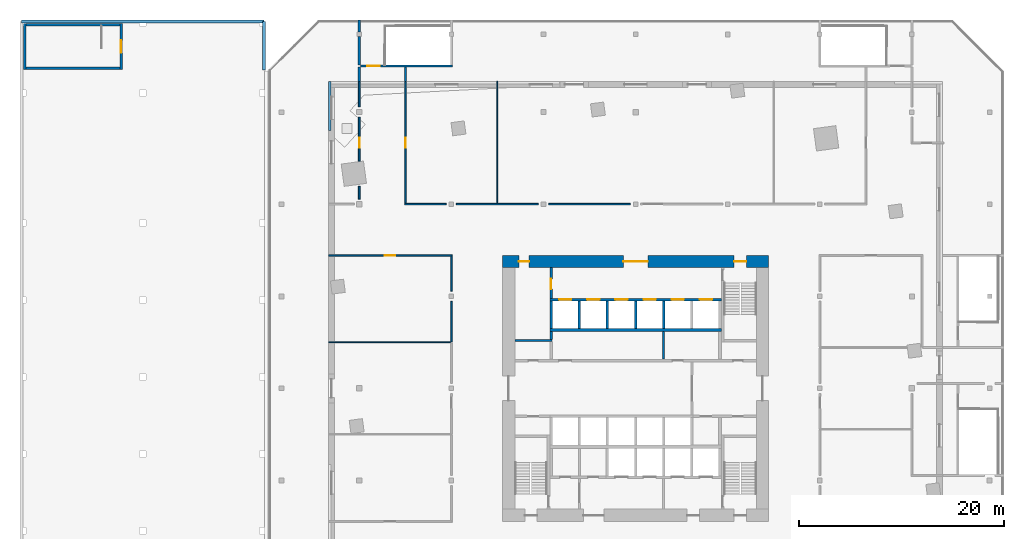
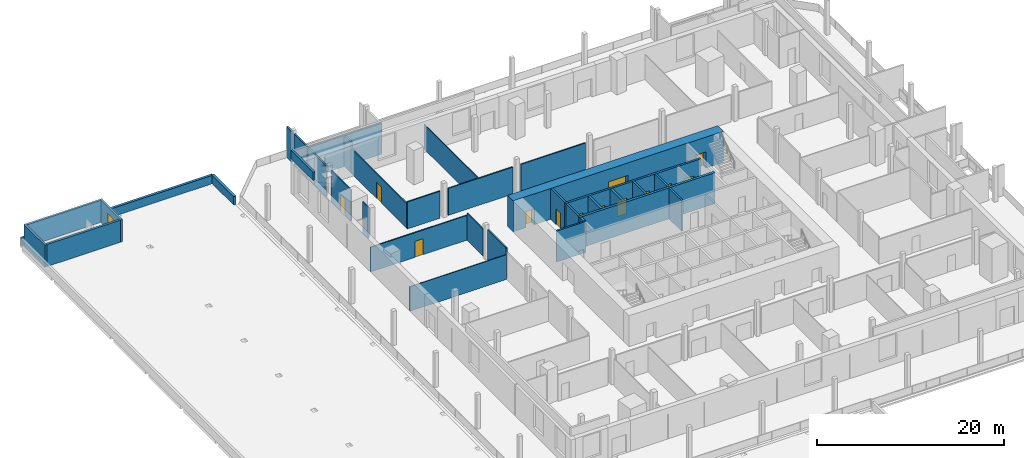
# One storey, part 6 of 12: 36 walls, 15 doors, 15 openings.
"""IFC4 building model written with IfcOpenShell, lengths in metres."""

from ifc_helpers import new_model, si_unit, direction, frame, frame_2d, origin, place, context, subcontext, project, spatial, rectangle, extrude, material, layer, layer_set, type_object, element, fill, save


model = new_model("IFC4")

# Units and contexts
model_context = context("Model", 3, precision=1e-05, world=origin(), true_north=direction((0.0, 1.0)))
body_context = subcontext(model_context, "Body", "Model", "MODEL_VIEW")
ifc_project = project(units=[si_unit("LENGTHUNIT", "METRE"), si_unit("AREAUNIT", "SQUARE_METRE"), si_unit("VOLUMEUNIT", "CUBIC_METRE"), si_unit("PLANEANGLEUNIT", "RADIAN"), si_unit("MASSUNIT", "GRAM", prefix="KILO")], contexts=[model_context])

# Site, building, storey
site_placement = place(None, origin())
site = spatial("IfcSite", under=ifc_project, at=site_placement, CompositionType="ELEMENT")
building_placement = place(site_placement, origin())
building = spatial("IfcBuilding", under=site, at=building_placement, Name="Dilmun Exchange Tower", CompositionType="ELEMENT")
storey_placement = place(building_placement, frame((0.0, 0.0, 18.0)))
storey = spatial("IfcBuildingStorey", under=building, at=storey_placement, Name="L04", CompositionType="ELEMENT", Elevation=18.0)

# Walls
ifc_material_1 = material(Name="Concrete C40/50", Category="concrete")
ifc_layer_1 = layer(ifc_material_1, 0.199951171875)
ifc_layer_set_1 = layer_set([ifc_layer_1], Name="Concrete C40/50")
wall_type_1 = type_object("IfcWallType", Name="Core partition wall 200", PredefinedType="PARTITIONING", material=ifc_layer_set_1)
wall_1_placement = place(storey_placement, frame((2.75, 2.85498046875, 0.0), z_axis=(0.0, 0.0, 1.0), x_axis=(0.0, 1.0, 0.0)))
element("IfcWall", 1, at=wall_1_placement, inside=storey, type_object=wall_type_1, Name="L04 core partition wall 12", PredefinedType="PARTITIONING", context=body_context, shape_type="SweptSolid", body=[
    extrude(rectangle(XDim=2.68994140625, YDim=0.199951171875, at=frame_2d((1.344970703125, 0.0))), origin(), (0.0, 0.0, 1.0), 4.050048828125),
])
wall_2_placement = place(storey_placement, frame((-11.794921875, 4.675048828125, 0.0), z_axis=(0.0, 0.0, 1.0), x_axis=(1.0, 0.0, 0.0)))
element("IfcWall", 2, at=wall_2_placement, inside=storey, type_object=wall_type_1, Name="L04 core partition wall 14", PredefinedType="PARTITIONING", context=body_context, shape_type="SweptSolid", body=[
    extrude(rectangle(XDim=3.64501953125, YDim=0.199951171875, at=frame_2d((1.822509765625, 0.0))), origin(), (0.0, 0.0, 1.0), 4.050048828125),
])
ifc_layer_2 = layer(ifc_material_1, 0.25)
ifc_layer_set_2 = layer_set([ifc_layer_2], Name="Concrete C40/50")
wall_type_2 = type_object("IfcWallType", Name="Core partition wall 250", PredefinedType="PARTITIONING", material=ifc_layer_set_2)
wall_3_placement = place(storey_placement, frame((-8.25, 4.780029296875, 0.0), z_axis=(0.0, 0.0, 1.0), x_axis=(0.0, 1.0, 0.0)))
element("IfcWall", 3, at=wall_3_placement, inside=storey, type_object=wall_type_2, Name="L04 core partition wall 15", PredefinedType="PARTITIONING", context=body_context, shape_type="SweptSolid", body=[
    extrude(rectangle(XDim=0.764892578125, YDim=0.25, at=frame_2d((0.38232421875, 0.0))), origin(), (0.0, 0.0, 1.0), 4.050048828125),
])

# Wall, opening, door
wall_4_placement = place(storey_placement, frame((-8.25, 8.804931640625, 0.0), z_axis=(0.0, 0.0, 1.0), x_axis=(0.0, 1.0, 0.0)))
wall_4 = element("IfcWall", 4, at=wall_4_placement, inside=storey, type_object=wall_type_2, Name="L04 core partition wall 16", PredefinedType="PARTITIONING", context=body_context, shape_type="SweptSolid", body=[
    extrude(rectangle(XDim=2.989990234375, YDim=0.25, at=frame_2d((1.4951171875, 0.0))), origin(), (0.0, 0.0, 1.0), 4.050048828125),
])
opening_1_placement = place(wall_4_placement, frame((0.89501953125, 0.0, 0.0)))
opening_1 = element("IfcOpeningElement", 5, at=opening_1_placement, cuts=wall_4, Name="Opening CD4", PredefinedType="OPENING", context=body_context, shape_type="SweptSolid", body=[
    extrude(rectangle(XDim=1.0, YDim=2.10009765625, at=frame_2d((0.5, 1.050048828125))), frame((0.0, 0.135009765625, 0.0), z_axis=(0.0, -1.0, 0.0), x_axis=(1.0, 0.0, 0.0)), (0.0, 0.0, 1.0), 0.27001953125),
])
ifc_material_2 = material(Name="Fire-rated steel door set", Category="steel")
door_type_1 = type_object("IfcDoorType", Name="Core room door 1000x2100", OperationType="SINGLE_SWING_LEFT", PredefinedType="DOOR", material=ifc_material_2)
door_1_placement = place(opening_1_placement, origin())
door_1 = element("IfcDoor", 6, at=door_1_placement, inside=storey, type_object=door_type_1, Name="L04 door Facilities office", OperationType="SINGLE_SWING_LEFT", OverallHeight=2.10009765625, OverallWidth=1.0, PredefinedType="DOOR", context=body_context, shape_type="SweptSolid", body=[
    extrude(rectangle(XDim=1.0, YDim=2.10009765625, at=frame_2d((0.5, 1.050048828125))), frame((0.0, 0.02490234375, 0.0), z_axis=(0.0, -1.0, 0.0), x_axis=(1.0, 0.0, 0.0)), (0.0, 0.0, 1.0), 0.050048828125),
])
fill(opening_1, door_1)

# Wall, openings, doors
ifc_material_3 = material(Name="Concrete C80/95", Category="concrete")
ifc_layer_3 = layer(ifc_material_3, 1.199951171875)
ifc_layer_set_3 = layer_set([ifc_layer_3], Name="Concrete C80/95")
wall_type_3 = type_object("IfcWallType", Name="Core shear wall 1200 Concrete C80/95", PredefinedType="SHEAR", material=ifc_layer_set_3)
wall_5_placement = place(storey_placement, frame((-13.0, 12.39990234375, 0.0), z_axis=(0.0, 0.0, 1.0), x_axis=(1.0, 0.0, 0.0)))
wall_5 = element("IfcWall", 7, at=wall_5_placement, inside=storey, type_object=wall_type_3, Name="L04 core shear wall N", PredefinedType="SHEAR", context=body_context, shape_type="SweptSolid", body=[
    extrude(rectangle(XDim=26.0, YDim=1.199951171875, at=frame_2d((13.0, 0.0))), origin(), (0.0, 0.0, 1.0), 4.050048828125),
])
opening_2_placement = place(wall_5_placement, frame((11.800048828125, 0.0, 0.0)))
opening_2 = element("IfcOpeningElement", 8, at=opening_2_placement, cuts=wall_5, Name="Opening CD1", PredefinedType="OPENING", context=body_context, shape_type="SweptSolid", body=[
    extrude(rectangle(XDim=2.39990234375, YDim=2.39990234375, at=frame_2d((1.199951171875, 1.199951171875))), frame((0.0, 0.60986328125, 0.0), z_axis=(0.0, -1.0, 0.0), x_axis=(1.0, 0.0, 0.0)), (0.0, 0.0, 1.0), 1.219970703125),
])
opening_3_placement = place(wall_5_placement, frame((22.625, 0.0, 0.0)))
opening_3 = element("IfcOpeningElement", 9, at=opening_3_placement, cuts=wall_5, Name="Opening CD3", PredefinedType="OPENING", context=body_context, shape_type="SweptSolid", body=[
    extrude(rectangle(XDim=1.199951171875, YDim=2.10009765625, at=frame_2d((0.60009765625, 1.050048828125))), frame((0.0, 0.60986328125, 0.0), z_axis=(0.0, -1.0, 0.0), x_axis=(1.0, 0.0, 0.0)), (0.0, 0.0, 1.0), 1.219970703125),
])
opening_4_placement = place(wall_5_placement, frame((1.60009765625, 0.0, 0.0)))
opening_4 = element("IfcOpeningElement", 10, at=opening_4_placement, cuts=wall_5, Name="Opening CD4", PredefinedType="OPENING", context=body_context, shape_type="SweptSolid", body=[
    extrude(rectangle(XDim=1.0, YDim=2.10009765625, at=frame_2d((0.5, 1.050048828125))), frame((0.0, 0.60986328125, 0.0), z_axis=(0.0, -1.0, 0.0), x_axis=(1.0, 0.0, 0.0)), (0.0, 0.0, 1.0), 1.219970703125),
])
door_type_2 = type_object("IfcDoorType", Name="Core lobby door 2400x2400", OperationType="DOUBLE_DOOR_DOUBLE_SWING", PredefinedType="DOOR", material=ifc_material_2)
door_2_placement = place(opening_2_placement, origin())
door_2 = element("IfcDoor", 11, at=door_2_placement, inside=storey, type_object=door_type_2, Name="L04 door North lift lobby", OperationType="SINGLE_SWING_LEFT", OverallHeight=2.39990234375, OverallWidth=2.39990234375, PredefinedType="DOOR", context=body_context, shape_type="SweptSolid", body=[
    extrude(rectangle(XDim=2.39990234375, YDim=2.39990234375, at=frame_2d((1.199951171875, 1.199951171875))), frame((0.0, 0.02490234375, 0.0), z_axis=(0.0, -1.0, 0.0), x_axis=(1.0, 0.0, 0.0)), (0.0, 0.0, 1.0), 0.050048828125),
])
fill(opening_2, door_2)
door_3_placement = place(opening_4_placement, origin())
door_3 = element("IfcDoor", 12, at=door_3_placement, inside=storey, type_object=door_type_1, Name="L04 door North-west core rooms", OperationType="SINGLE_SWING_LEFT", OverallHeight=2.10009765625, OverallWidth=1.0, PredefinedType="DOOR", context=body_context, shape_type="SweptSolid", body=[
    extrude(rectangle(XDim=1.0, YDim=2.10009765625, at=frame_2d((0.5, 1.050048828125))), frame((0.0, 0.02490234375, 0.0), z_axis=(0.0, -1.0, 0.0), x_axis=(1.0, 0.0, 0.0)), (0.0, 0.0, 1.0), 0.050048828125),
])
fill(opening_4, door_3)
door_type_3 = type_object("IfcDoorType", Name="Stair exit door 1200x2100", OperationType="SINGLE_SWING_LEFT", PredefinedType="DOOR", material=ifc_material_2)
door_4_placement = place(opening_3_placement, origin())
door_4 = element("IfcDoor", 13, at=door_4_placement, inside=storey, type_object=door_type_3, Name="L04 door Stair ST1", OperationType="SINGLE_SWING_LEFT", OverallHeight=2.10009765625, OverallWidth=1.199951171875, PredefinedType="DOOR", context=body_context, shape_type="SweptSolid", body=[
    extrude(rectangle(XDim=1.199951171875, YDim=2.10009765625, at=frame_2d((0.60009765625, 1.050048828125))), frame((0.0, 0.02490234375, 0.0), z_axis=(0.0, -1.0, 0.0), x_axis=(1.0, 0.0, 0.0)), (0.0, 0.0, 1.0), 0.050048828125),
])
fill(opening_3, door_4)

# Wall, opening, door
ifc_material_4 = material(Name="Fire partition EI 60 150 gypsum")
ifc_layer_4 = layer(ifc_material_4, 0.14990234375)
ifc_layer_set_4 = layer_set([ifc_layer_4], Name="Fire partition EI 60 150 gypsum")
wall_type_4 = type_object("IfcWallType", Name="Fire partition EI 60 150 gypsum", PredefinedType="PARTITIONING", material=ifc_layer_set_4)
wall_6_placement = place(storey_placement, frame((-30.0, 13.0, 0.0), z_axis=(0.0, 0.0, 1.0), x_axis=(1.0, 0.0, 0.0)))
wall_6 = element("IfcWall", 14, at=wall_6_placement, inside=storey, type_object=wall_type_4, Name="L04 partition", PredefinedType="PARTITIONING", context=body_context, shape_type="SweptSolid", body=[
    extrude(rectangle(XDim=12.074951171875, YDim=0.14990234375, at=frame_2d((6.03759765625, 0.0))), origin(), (0.0, 0.0, 1.0), 3.22998046875),
])
opening_5_placement = place(wall_6_placement, frame((5.5, 0.0, 0.0)))
opening_5 = element("IfcOpeningElement", 15, at=opening_5_placement, cuts=wall_6, Name="Opening L04-D016", PredefinedType="OPENING", context=body_context, shape_type="SweptSolid", body=[
    extrude(rectangle(XDim=1.0, YDim=2.10009765625, at=frame_2d((0.5, 1.050048828125))), frame((0.0, 0.0849609375, 0.0), z_axis=(0.0, -1.0, 0.0), x_axis=(1.0, 0.0, 0.0)), (0.0, 0.0, 1.0), 0.169921875),
])
ifc_material_5 = material(Name="Fire door FD60 1000 x 2100")
door_type_4 = type_object("IfcDoorType", Name="Fire door FD60 1000 x 2100", OperationType="SINGLE_SWING_LEFT", PredefinedType="DOOR", material=ifc_material_5)
door_5_placement = place(opening_5_placement, origin())
door_5 = element("IfcDoor", 16, at=door_5_placement, inside=storey, type_object=door_type_4, Name="L04 door L04-D016", OperationType="SINGLE_SWING_RIGHT", OverallHeight=2.10009765625, OverallWidth=1.0, PredefinedType="DOOR", context=body_context, shape_type="SweptSolid", body=[
    extrude(rectangle(XDim=1.0, YDim=2.10009765625, at=frame_2d((0.5, 1.050048828125))), frame((0.0, 0.02490234375, 0.0), z_axis=(0.0, -1.0, 0.0), x_axis=(1.0, 0.0, 0.0)), (0.0, 0.0, 1.0), 0.050048828125),
])
fill(opening_5, door_5)

# Walls
wall_7_placement = place(storey_placement, frame((-22.574951171875, 18.0, 0.0), z_axis=(0.0, 0.0, 1.0), x_axis=(1.0, 0.0, 0.0)))
element("IfcWall", 17, at=wall_7_placement, inside=storey, type_object=wall_type_4, Name="L04 partition", PredefinedType="PARTITIONING", context=body_context, shape_type="SweptSolid", body=[
    extrude(rectangle(XDim=4.074951171875, YDim=0.14990234375, at=frame_2d((2.03759765625, 0.0))), origin(), (0.0, 0.0, 1.0), 3.530029296875),
])
for number, where, z_axis, x_axis, name in (
    (18, (-17.5, 18.0, 0.0), (0.0, 0.0, 1.0), (1.0, 0.0, 0.0), "L04 partition"),
    (19, (-8.5, 18.0, 0.0), (0.0, 0.0, 1.0), (1.0, 0.0, 0.0), "L04 partition"),
):
    element("IfcWall", number, at=place(storey_placement, frame(where, z_axis=z_axis, x_axis=x_axis)), inside=storey, type_object=wall_type_4, Name=name, PredefinedType="PARTITIONING", context=body_context, shape_type="SweptSolid", body=[
        extrude(rectangle(XDim=8.0, YDim=0.14990234375, at=frame_2d((4.0, 0.0))), origin(), (0.0, 0.0, 1.0), 3.530029296875),
    ])
wall_8_placement = place(storey_placement, frame((-27.0, 18.5, 0.0), z_axis=(0.0, 0.0, 1.0), x_axis=(0.0, 1.0, 0.0)))
element("IfcWall", 20, at=wall_8_placement, inside=storey, type_object=wall_type_4, Name="L04 partition", PredefinedType="PARTITIONING", context=body_context, shape_type="SweptSolid", body=[
    extrude(rectangle(XDim=1.24169921875, YDim=0.14990234375, at=frame_2d((0.620849609375, 0.0))), origin(), (0.0, 0.0, 1.0), 4.050048828125),
])

# Wall, opening, door
wall_9_placement = place(storey_placement, frame((-27.0, 22.21630859375, 0.0), z_axis=(0.0, 0.0, 1.0), x_axis=(0.0, 1.0, 0.0)))
wall_9 = element("IfcWall", 21, at=wall_9_placement, inside=storey, type_object=wall_type_4, Name="L04 partition", PredefinedType="PARTITIONING", context=body_context, shape_type="SweptSolid", body=[
    extrude(rectangle(XDim=4.28369140625, YDim=0.14990234375, at=frame_2d((2.141845703125, 0.0))), origin(), (0.0, 0.0, 1.0), 4.050048828125),
])
opening_6_placement = place(wall_9_placement, frame((1.28369140625, 0.0, 0.0)))
opening_6 = element("IfcOpeningElement", 22, at=opening_6_placement, cuts=wall_9, Name="Opening L04-D006", PredefinedType="OPENING", context=body_context, shape_type="SweptSolid", body=[
    extrude(rectangle(XDim=1.0, YDim=2.10009765625, at=frame_2d((0.5, 1.050048828125))), frame((0.0, 0.0849609375, 0.0), z_axis=(0.0, -1.0, 0.0), x_axis=(1.0, 0.0, 0.0)), (0.0, 0.0, 1.0), 0.169921875),
])
door_6_placement = place(opening_6_placement, origin())
door_6 = element("IfcDoor", 23, at=door_6_placement, inside=storey, type_object=door_type_4, Name="L04 door L04-D006", OperationType="SINGLE_SWING_RIGHT", OverallHeight=2.10009765625, OverallWidth=1.0, PredefinedType="DOOR", context=body_context, shape_type="SweptSolid", body=[
    extrude(rectangle(XDim=1.0, YDim=2.10009765625, at=frame_2d((0.5, 1.050048828125))), frame((0.0, 0.02490234375, 0.0), z_axis=(0.0, -1.0, 0.0), x_axis=(1.0, 0.0, 0.0)), (0.0, 0.0, 1.0), 0.050048828125),
])
fill(opening_6, door_6)

# Wall
wall_10_placement = place(storey_placement, frame((-27.0, 27.5, 0.0), z_axis=(0.0, 0.0, 1.0), x_axis=(0.0, 1.0, 0.0)))
element("IfcWall", 24, at=wall_10_placement, inside=storey, type_object=wall_type_4, Name="L04 partition", PredefinedType="PARTITIONING", context=body_context, shape_type="SweptSolid", body=[
    extrude(rectangle(XDim=2.5, YDim=0.14990234375, at=frame_2d((1.25, 0.0))), origin(), (0.0, 0.0, 1.0), 4.050048828125),
])

# Wall, opening, door
wall_11_placement = place(storey_placement, frame((-22.5, 18.074951171875, 0.0), z_axis=(0.0, 0.0, 1.0), x_axis=(0.0, 1.0, 0.0)))
wall_11 = element("IfcWall", 25, at=wall_11_placement, inside=storey, type_object=wall_type_4, Name="L04 partition", PredefinedType="PARTITIONING", context=body_context, shape_type="SweptSolid", body=[
    extrude(rectangle(XDim=11.925048828125, YDim=0.14990234375, at=frame_2d((5.96240234375, 0.0))), origin(), (0.0, 0.0, 1.0), 3.22998046875),
])
opening_7_placement = place(wall_11_placement, frame((5.425048828125, 0.0, 0.0)))
opening_7 = element("IfcOpeningElement", 26, at=opening_7_placement, cuts=wall_11, Name="Opening L04-D007", PredefinedType="OPENING", context=body_context, shape_type="SweptSolid", body=[
    extrude(rectangle(XDim=1.0, YDim=2.10009765625, at=frame_2d((0.5, 1.050048828125))), frame((0.0, 0.0849609375, 0.0), z_axis=(0.0, -1.0, 0.0), x_axis=(1.0, 0.0, 0.0)), (0.0, 0.0, 1.0), 0.169921875),
])
door_7_placement = place(opening_7_placement, origin())
door_7 = element("IfcDoor", 27, at=door_7_placement, inside=storey, type_object=door_type_4, Name="L04 door L04-D007", OperationType="SINGLE_SWING_LEFT", OverallHeight=2.10009765625, OverallWidth=1.0, PredefinedType="DOOR", context=body_context, shape_type="SweptSolid", body=[
    extrude(rectangle(XDim=1.0, YDim=2.10009765625, at=frame_2d((0.5, 1.050048828125))), frame((0.0, 0.02490234375, 0.0), z_axis=(0.0, -1.0, 0.0), x_axis=(1.0, 0.0, 0.0)), (0.0, 0.0, 1.0), 0.050048828125),
])
fill(opening_7, door_7)

# Walls
wall_12_placement = place(storey_placement, frame((-18.0, 4.550048828125, 0.0), z_axis=(0.0, 0.0, 1.0), x_axis=(0.0, 1.0, 0.0)))
element("IfcWall", 28, at=wall_12_placement, inside=storey, type_object=wall_type_4, Name="L04 partition", PredefinedType="PARTITIONING", context=body_context, shape_type="SweptSolid", body=[
    extrude(rectangle(XDim=3.949951171875, YDim=0.14990234375, at=frame_2d((1.97509765625, 0.0))), origin(), (0.0, 0.0, 1.0), 4.050048828125),
])
wall_13_placement = place(storey_placement, frame((-18.0, 9.5, 0.0), z_axis=(0.0, 0.0, 1.0), x_axis=(0.0, 1.0, 0.0)))
element("IfcWall", 29, at=wall_13_placement, inside=storey, type_object=wall_type_4, Name="L04 partition", PredefinedType="PARTITIONING", context=body_context, shape_type="SweptSolid", body=[
    extrude(rectangle(XDim=3.425048828125, YDim=0.14990234375, at=frame_2d((1.71240234375, 0.0))), origin(), (0.0, 0.0, 1.0), 3.530029296875),
])

# Wall, opening, door
ifc_material_6 = material(Name="Fire wall EI 120 200 blockwork", Category="masonry")
ifc_layer_5 = layer(ifc_material_6, 0.199951171875)
ifc_layer_set_5 = layer_set([ifc_layer_5], Name="Fire wall EI 120 200 blockwork")
wall_type_5 = type_object("IfcWallType", Name="Fire wall EI 120 200 blockwork", PredefinedType="PARTITIONING", material=ifc_layer_set_5)
wall_14_placement = place(storey_placement, frame((-26.89990234375, 31.5, 0.0), z_axis=(0.0, 0.0, 1.0), x_axis=(1.0, 0.0, 0.0)))
wall_14 = element("IfcWall", 30, at=wall_14_placement, inside=storey, type_object=wall_type_5, Name="L04 stair wall", PredefinedType="PARTITIONING", context=body_context, shape_type="SweptSolid", body=[
    extrude(rectangle(XDim=9.0, YDim=0.199951171875, at=frame_2d((4.5, 0.0))), origin(), (0.0, 0.0, 1.0), 4.050048828125),
])
opening_8_placement = place(wall_14_placement, frame((0.699951171875, 0.0, 0.0)))
opening_8 = element("IfcOpeningElement", 31, at=opening_8_placement, cuts=wall_14, Name="Opening L04-D001", PredefinedType="OPENING", context=body_context, shape_type="SweptSolid", body=[
    extrude(rectangle(XDim=1.199951171875, YDim=2.10009765625, at=frame_2d((0.60009765625, 1.050048828125))), frame((0.0, 0.10986328125, 0.0), z_axis=(0.0, -1.0, 0.0), x_axis=(1.0, 0.0, 0.0)), (0.0, 0.0, 1.0), 0.219970703125),
])
ifc_material_7 = material(Name="Stair door FD90 1200 x 2100")
door_type_5 = type_object("IfcDoorType", Name="Stair door FD90 1200 x 2100", OperationType="SINGLE_SWING_LEFT", PredefinedType="DOOR", material=ifc_material_7)
door_8_placement = place(opening_8_placement, origin())
door_8 = element("IfcDoor", 32, at=door_8_placement, inside=storey, type_object=door_type_5, Name="L04 door L04-D001", OperationType="SINGLE_SWING_LEFT", OverallHeight=2.10009765625, OverallWidth=1.199951171875, PredefinedType="DOOR", context=body_context, shape_type="SweptSolid", body=[
    extrude(rectangle(XDim=1.199951171875, YDim=2.10009765625, at=frame_2d((0.60009765625, 1.050048828125))), frame((0.0, 0.02490234375, 0.0), z_axis=(0.0, -1.0, 0.0), x_axis=(1.0, 0.0, 0.0)), (0.0, 0.0, 1.0), 0.050048828125),
])
fill(opening_8, door_8)

# Walls
wall_15_placement = place(storey_placement, frame((-27.0, 30.0, 0.0), z_axis=(0.0, 0.0, 1.0), x_axis=(0.0, 1.0, 0.0)))
element("IfcWall", 33, at=wall_15_placement, inside=storey, type_object=wall_type_5, Name="L04 stair wall", PredefinedType="PARTITIONING", context=body_context, shape_type="SweptSolid", body=[
    extrude(rectangle(XDim=1.39990234375, YDim=0.199951171875, at=frame_2d((0.699951171875, 0.0))), origin(), (0.0, 0.0, 1.0), 4.050048828125),
])
wall_16_placement = place(storey_placement, frame((-27.0, 31.60009765625, 0.0), z_axis=(0.0, 0.0, 1.0), x_axis=(0.0, 1.0, 0.0)))
element("IfcWall", 34, at=wall_16_placement, inside=storey, type_object=wall_type_5, Name="L04 stair wall", PredefinedType="PARTITIONING", context=body_context, shape_type="SweptSolid", body=[
    extrude(rectangle(XDim=2.77490234375, YDim=0.199951171875, at=frame_2d((1.387451171875, 0.0))), origin(), (0.0, 0.0, 1.0), 4.050048828125),
])
wall_17_placement = place(storey_placement, frame((-27.0, 34.824951171875, 0.0), z_axis=(0.0, 0.0, 1.0), x_axis=(0.0, 1.0, 0.0)))
element("IfcWall", 35, at=wall_17_placement, inside=storey, type_object=wall_type_5, Name="L04 stair wall", PredefinedType="PARTITIONING", context=body_context, shape_type="SweptSolid", body=[
    extrude(rectangle(XDim=1.175048828125, YDim=0.199951171875, at=frame_2d((0.58740234375, 0.0))), origin(), (0.0, 0.0, 1.0), 4.050048828125),
])
wall_18_placement = place(storey_placement, frame((-22.5, 30.0, 0.0), z_axis=(0.0, 0.0, 1.0), x_axis=(0.0, 1.0, 0.0)))
element("IfcWall", 36, at=wall_18_placement, inside=storey, type_object=wall_type_5, Name="L04 partition", PredefinedType="PARTITIONING", context=body_context, shape_type="SweptSolid", body=[
    extrude(rectangle(XDim=1.39990234375, YDim=0.199951171875, at=frame_2d((0.699951171875, 0.0))), origin(), (0.0, 0.0, 1.0), 4.050048828125),
])
ifc_layer_6 = layer(ifc_material_1, 0.300048828125)
ifc_layer_set_6 = layer_set([ifc_layer_6], Name="Concrete C40/50")
wall_type_6 = type_object("IfcWallType", Name="Lift shaft shared wall 300", PredefinedType="SOLIDWALL", material=ifc_layer_set_6)
wall_19_placement = place(storey_placement, frame((-8.375, 5.699951171875, 0.0), z_axis=(0.0, 0.0, 1.0), x_axis=(1.0, 0.0, 0.0)))
element("IfcWall", 37, at=wall_19_placement, inside=storey, type_object=wall_type_6, Name="L04 lift shaft rear wall N", PredefinedType="SOLIDWALL", context=body_context, shape_type="SweptSolid", body=[
    extrude(rectangle(XDim=16.75, YDim=0.300048828125, at=frame_2d((8.375, 0.0))), origin(), (0.0, 0.0, 1.0), 4.050048828125),
])

# Wall, openings, doors
ifc_layer_7 = layer(ifc_material_1, 0.25)
ifc_layer_set_7 = layer_set([ifc_layer_7], Name="Concrete C40/50")
wall_type_7 = type_object("IfcWallType", Name="Lift shaft wall 250", PredefinedType="SOLIDWALL", material=ifc_layer_set_7)
wall_20_placement = place(storey_placement, frame((-8.375, 8.675048828125, 0.0), z_axis=(0.0, 0.0, 1.0), x_axis=(1.0, 0.0, 0.0)))
wall_20 = element("IfcWall", 38, at=wall_20_placement, inside=storey, type_object=wall_type_7, Name="L04 lift shaft front wall N2", PredefinedType="SOLIDWALL", context=body_context, shape_type="SweptSolid", body=[
    extrude(rectangle(XDim=16.75, YDim=0.25, at=frame_2d((8.375, 0.0))), origin(), (0.0, 0.0, 1.0), 4.050048828125),
])
opening_9_placement = place(wall_20_placement, frame((0.89990234375, 0.0, 0.0)))
opening_9 = element("IfcOpeningElement", 39, at=opening_9_placement, cuts=wall_20, Name="Opening LD", PredefinedType="OPENING", context=body_context, shape_type="SweptSolid", body=[
    extrude(rectangle(XDim=1.199951171875, YDim=2.10009765625, at=frame_2d((0.60009765625, 1.050048828125))), frame((0.0, 0.135009765625, 0.0), z_axis=(0.0, -1.0, 0.0), x_axis=(1.0, 0.0, 0.0)), (0.0, 0.0, 1.0), 0.27001953125),
])
opening_10_placement = place(wall_20_placement, frame((3.64990234375, 0.0, 0.0)))
opening_10 = element("IfcOpeningElement", 40, at=opening_10_placement, cuts=wall_20, Name="Opening LD", PredefinedType="OPENING", context=body_context, shape_type="SweptSolid", body=[
    extrude(rectangle(XDim=1.199951171875, YDim=2.10009765625, at=frame_2d((0.60009765625, 1.050048828125))), frame((0.0, 0.135009765625, 0.0), z_axis=(0.0, -1.0, 0.0), x_axis=(1.0, 0.0, 0.0)), (0.0, 0.0, 1.0), 0.27001953125),
])
opening_11_placement = place(wall_20_placement, frame((6.39990234375, 0.0, 0.0)))
opening_11 = element("IfcOpeningElement", 41, at=opening_11_placement, cuts=wall_20, Name="Opening LD", PredefinedType="OPENING", context=body_context, shape_type="SweptSolid", body=[
    extrude(rectangle(XDim=1.199951171875, YDim=2.10009765625, at=frame_2d((0.60009765625, 1.050048828125))), frame((0.0, 0.135009765625, 0.0), z_axis=(0.0, -1.0, 0.0), x_axis=(1.0, 0.0, 0.0)), (0.0, 0.0, 1.0), 0.27001953125),
])
opening_12_placement = place(wall_20_placement, frame((9.14990234375, 0.0, 0.0)))
opening_12 = element("IfcOpeningElement", 42, at=opening_12_placement, cuts=wall_20, Name="Opening LD", PredefinedType="OPENING", context=body_context, shape_type="SweptSolid", body=[
    extrude(rectangle(XDim=1.199951171875, YDim=2.10009765625, at=frame_2d((0.60009765625, 1.050048828125))), frame((0.0, 0.135009765625, 0.0), z_axis=(0.0, -1.0, 0.0), x_axis=(1.0, 0.0, 0.0)), (0.0, 0.0, 1.0), 0.27001953125),
])
opening_13_placement = place(wall_20_placement, frame((11.89990234375, 0.0, 0.0)))
opening_13 = element("IfcOpeningElement", 43, at=opening_13_placement, cuts=wall_20, Name="Opening LD", PredefinedType="OPENING", context=body_context, shape_type="SweptSolid", body=[
    extrude(rectangle(XDim=1.199951171875, YDim=2.10009765625, at=frame_2d((0.60009765625, 1.050048828125))), frame((0.0, 0.135009765625, 0.0), z_axis=(0.0, -1.0, 0.0), x_axis=(1.0, 0.0, 0.0)), (0.0, 0.0, 1.0), 0.27001953125),
])
opening_14_placement = place(wall_20_placement, frame((14.64990234375, 0.0, 0.0)))
opening_14 = element("IfcOpeningElement", 44, at=opening_14_placement, cuts=wall_20, Name="Opening LD", PredefinedType="OPENING", context=body_context, shape_type="SweptSolid", body=[
    extrude(rectangle(XDim=1.199951171875, YDim=2.10009765625, at=frame_2d((0.60009765625, 1.050048828125))), frame((0.0, 0.135009765625, 0.0), z_axis=(0.0, -1.0, 0.0), x_axis=(1.0, 0.0, 0.0)), (0.0, 0.0, 1.0), 0.27001953125),
])
door_type_6 = type_object("IfcDoorType", Name="Lift landing door 1200x2100", OperationType="DOUBLE_DOOR_SLIDING", PredefinedType="DOOR", material=ifc_material_2)
door_9_placement = place(opening_9_placement, origin())
door_9 = element("IfcDoor", 45, at=door_9_placement, inside=storey, type_object=door_type_6, Name="L04 landing door LR1", OperationType="DOUBLE_DOOR_SLIDING", OverallHeight=2.10009765625, OverallWidth=1.199951171875, PredefinedType="DOOR", context=body_context, shape_type="SweptSolid", body=[
    extrude(rectangle(XDim=1.199951171875, YDim=2.10009765625, at=frame_2d((0.60009765625, 1.050048828125))), frame((0.0, 0.02490234375, 0.0), z_axis=(0.0, -1.0, 0.0), x_axis=(1.0, 0.0, 0.0)), (0.0, 0.0, 1.0), 0.050048828125),
])
fill(opening_9, door_9)
door_10_placement = place(opening_10_placement, origin())
door_10 = element("IfcDoor", 46, at=door_10_placement, inside=storey, type_object=door_type_6, Name="L04 landing door LR2", OperationType="DOUBLE_DOOR_SLIDING", OverallHeight=2.10009765625, OverallWidth=1.199951171875, PredefinedType="DOOR", context=body_context, shape_type="SweptSolid", body=[
    extrude(rectangle(XDim=1.199951171875, YDim=2.10009765625, at=frame_2d((0.60009765625, 1.050048828125))), frame((0.0, 0.02490234375, 0.0), z_axis=(0.0, -1.0, 0.0), x_axis=(1.0, 0.0, 0.0)), (0.0, 0.0, 1.0), 0.050048828125),
])
fill(opening_10, door_10)
door_11_placement = place(opening_11_placement, origin())
door_11 = element("IfcDoor", 47, at=door_11_placement, inside=storey, type_object=door_type_6, Name="L04 landing door LR3", OperationType="DOUBLE_DOOR_SLIDING", OverallHeight=2.10009765625, OverallWidth=1.199951171875, PredefinedType="DOOR", context=body_context, shape_type="SweptSolid", body=[
    extrude(rectangle(XDim=1.199951171875, YDim=2.10009765625, at=frame_2d((0.60009765625, 1.050048828125))), frame((0.0, 0.02490234375, 0.0), z_axis=(0.0, -1.0, 0.0), x_axis=(1.0, 0.0, 0.0)), (0.0, 0.0, 1.0), 0.050048828125),
])
fill(opening_11, door_11)
door_12_placement = place(opening_12_placement, origin())
door_12 = element("IfcDoor", 48, at=door_12_placement, inside=storey, type_object=door_type_6, Name="L04 landing door LR4", OperationType="DOUBLE_DOOR_SLIDING", OverallHeight=2.10009765625, OverallWidth=1.199951171875, PredefinedType="DOOR", context=body_context, shape_type="SweptSolid", body=[
    extrude(rectangle(XDim=1.199951171875, YDim=2.10009765625, at=frame_2d((0.60009765625, 1.050048828125))), frame((0.0, 0.02490234375, 0.0), z_axis=(0.0, -1.0, 0.0), x_axis=(1.0, 0.0, 0.0)), (0.0, 0.0, 1.0), 0.050048828125),
])
fill(opening_12, door_12)
door_13_placement = place(opening_13_placement, origin())
door_13 = element("IfcDoor", 49, at=door_13_placement, inside=storey, type_object=door_type_6, Name="L04 landing door LR5", OperationType="DOUBLE_DOOR_SLIDING", OverallHeight=2.10009765625, OverallWidth=1.199951171875, PredefinedType="DOOR", context=body_context, shape_type="SweptSolid", body=[
    extrude(rectangle(XDim=1.199951171875, YDim=2.10009765625, at=frame_2d((0.60009765625, 1.050048828125))), frame((0.0, 0.02490234375, 0.0), z_axis=(0.0, -1.0, 0.0), x_axis=(1.0, 0.0, 0.0)), (0.0, 0.0, 1.0), 0.050048828125),
])
fill(opening_13, door_13)
door_14_placement = place(opening_14_placement, origin())
door_14 = element("IfcDoor", 50, at=door_14_placement, inside=storey, type_object=door_type_6, Name="L04 landing door LR6", OperationType="DOUBLE_DOOR_SLIDING", OverallHeight=2.10009765625, OverallWidth=1.199951171875, PredefinedType="DOOR", context=body_context, shape_type="SweptSolid", body=[
    extrude(rectangle(XDim=1.199951171875, YDim=2.10009765625, at=frame_2d((0.60009765625, 1.050048828125))), frame((0.0, 0.02490234375, 0.0), z_axis=(0.0, -1.0, 0.0), x_axis=(1.0, 0.0, 0.0)), (0.0, 0.0, 1.0), 0.050048828125),
])
fill(opening_14, door_14)

# Walls
for number, where, z_axis, x_axis, name in (
    (51, (-8.25, 5.85009765625, 0.0), (0.0, 0.0, 1.0), (0.0, 1.0, 0.0), "L04 lift shaft divider N20"),
    (52, (-5.5, 5.85009765625, 0.0), (0.0, 0.0, 1.0), (0.0, 1.0, 0.0), "L04 lift shaft divider N21"),
    (53, (-2.75, 5.85009765625, 0.0), (0.0, 0.0, 1.0), (0.0, 1.0, 0.0), "L04 lift shaft divider N22"),
    (54, (0.0, 5.85009765625, 0.0), (0.0, 0.0, 1.0), (0.0, 1.0, 0.0), "L04 lift shaft divider N23"),
    (55, (2.75, 5.85009765625, 0.0), (0.0, 0.0, 1.0), (0.0, 1.0, 0.0), "L04 lift shaft divider N24"),
):
    element("IfcWall", number, at=place(storey_placement, frame(where, z_axis=z_axis, x_axis=x_axis)), inside=storey, type_object=wall_type_7, Name=name, PredefinedType="SOLIDWALL", context=body_context, shape_type="SweptSolid", body=[
        extrude(rectangle(XDim=2.699951171875, YDim=0.25, at=frame_2d((1.35009765625, 0.0))), origin(), (0.0, 0.0, 1.0), 4.050048828125),
    ])
ifc_material_8 = material(Name="Partition 100 gypsum")
ifc_layer_8 = layer(ifc_material_8, 0.10009765625)
ifc_layer_set_8 = layer_set([ifc_layer_8], Name="Partition 100 gypsum")
wall_type_8 = type_object("IfcWallType", Name="Partition 100 gypsum", PredefinedType="PARTITIONING", material=ifc_layer_set_8)
for number, where, z_axis, x_axis, name in (
    (56, (-30.0, 4.5, 0.0), (0.0, 0.0, 1.0), (1.0, 0.0, 0.0), "L04 partition"),
    (57, (-13.5, 18.074951171875, 0.0), (0.0, 0.0, 1.0), (0.0, 1.0, 0.0), "L04 partition"),
):
    element("IfcWall", number, at=place(storey_placement, frame(where, z_axis=z_axis, x_axis=x_axis)), inside=storey, type_object=wall_type_8, Name=name, PredefinedType="PARTITIONING", context=body_context, shape_type="SweptSolid", body=[
        extrude(rectangle(XDim=11.925048828125, YDim=0.10009765625, at=frame_2d((5.96240234375, 0.0))), origin(), (0.0, 0.0, 1.0), 3.22998046875),
    ])
ifc_material_9 = material(Name="Precast concrete C40/50", Category="concrete")
ifc_layer_9 = layer(ifc_material_9, 0.25)
ifc_layer_set_9 = layer_set([ifc_layer_9], Name="Precast concrete C40/50")
wall_type_9 = type_object("IfcWallType", Name="Roof parapet 250", PredefinedType="PARAPET", material=ifc_layer_set_9)
wall_21_placement = place(storey_placement, frame((-29.875, 30.0, 4.5), z_axis=(0.0, 0.0, 1.0), x_axis=(0.0, -1.0, 0.0)))
element("IfcWall", 58, at=wall_21_placement, inside=storey, type_object=wall_type_9, Name="Enclosure roof parapet 8", PredefinedType="PARAPET", context=body_context, shape_type="SweptSolid", body=[
    extrude(rectangle(XDim=4.77490234375, YDim=0.25, at=frame_2d((2.387451171875, 0.0))), origin(), (0.0, 0.0, 1.0), 1.10009765625),
])
ifc_layer_10 = layer(ifc_material_9, 0.300048828125)
ifc_layer_set_10 = layer_set([ifc_layer_10], Name="Precast concrete C40/50")
wall_type_10 = type_object("IfcWallType", Name="School roof parapet 300 precast C40/50", PredefinedType="PARAPET", material=ifc_layer_set_10)
wall_22_placement = place(storey_placement, frame((-60.0, 35.85009765625, 0.0), z_axis=(0.0, 0.0, 1.0), x_axis=(1.0, 0.0, 0.0)))
element("IfcWall", 59, at=wall_22_placement, inside=storey, type_object=wall_type_10, Name="School roof parapet", PredefinedType="PARAPET", context=body_context, shape_type="SweptSolid", body=[
    extrude(rectangle(XDim=23.699951171875, YDim=0.300048828125, at=frame_2d((11.85009765625, 0.0))), origin(), (0.0, 0.0, 1.0), 1.10009765625),
])
wall_23_placement = place(storey_placement, frame((-36.300048828125, 35.85009765625, 0.0), z_axis=(0.0, 0.0, 1.0), x_axis=(0.0, -1.0, 0.0)))
element("IfcWall", 60, at=wall_23_placement, inside=storey, type_object=wall_type_10, Name="School roof parapet", PredefinedType="PARAPET", context=body_context, shape_type="SweptSolid", body=[
    extrude(rectangle(XDim=4.75, YDim=0.300048828125, at=frame_2d((2.375, 0.0))), origin(), (0.0, 0.0, 1.0), 1.10009765625),
])
ifc_layer_11 = layer(ifc_material_1, 0.25)
ifc_layer_set_11 = layer_set([ifc_layer_11], Name="Concrete C40/50")
wall_type_11 = type_object("IfcWallType", Name="School stair and lift wall 250 C40/50", PredefinedType="SHEAR", material=ifc_layer_set_11)
wall_24_placement = place(storey_placement, frame((-59.675048828125, 31.14990234375, 0.0), z_axis=(0.0, 0.0, 1.0), x_axis=(0.0, 1.0, 0.0)))
element("IfcWall", 61, at=wall_24_placement, inside=storey, type_object=wall_type_11, Name="School stair head-house wall", PredefinedType="SHEAR", context=body_context, shape_type="SweptSolid", body=[
    extrude(rectangle(XDim=4.5, YDim=0.25, at=frame_2d((2.25, 0.0))), origin(), (0.0, 0.0, 1.0), 2.89990234375),
])

# Wall, opening, door
wall_25_placement = place(storey_placement, frame((-50.27490234375, 31.14990234375, 0.0), z_axis=(0.0, 0.0, 1.0), x_axis=(0.0, 1.0, 0.0)))
wall_25 = element("IfcWall", 62, at=wall_25_placement, inside=storey, type_object=wall_type_11, Name="School stair head-house wall", PredefinedType="SHEAR", context=body_context, shape_type="SweptSolid", body=[
    extrude(rectangle(XDim=4.5, YDim=0.25, at=frame_2d((2.25, 0.0))), origin(), (0.0, 0.0, 1.0), 2.89990234375),
])
opening_15_placement = place(wall_25_placement, frame((1.64990234375, 0.0, 0.0)))
opening_15 = element("IfcOpeningElement", 63, at=opening_15_placement, cuts=wall_25, Name="Opening SCH-D3", PredefinedType="OPENING", context=body_context, shape_type="SweptSolid", body=[
    extrude(rectangle(XDim=1.199951171875, YDim=2.10009765625, at=frame_2d((0.60009765625, 1.050048828125))), frame((0.0, 0.135009765625, 0.0), z_axis=(0.0, -1.0, 0.0), x_axis=(1.0, 0.0, 0.0)), (0.0, 0.0, 1.0), 0.27001953125),
])
ifc_material_10 = material(Name="Timber door leaf in steel frame", Category="steel")
door_type_7 = type_object("IfcDoorType", Name="School stair door FD60 1200 x 2100", OperationType="NOTDEFINED", PredefinedType="DOOR", material=ifc_material_10)
door_15_placement = place(opening_15_placement, origin())
door_15 = element("IfcDoor", 64, at=door_15_placement, inside=storey, type_object=door_type_7, Name="Roof access door", OperationType="SINGLE_SWING_LEFT", OverallHeight=2.10009765625, OverallWidth=1.199951171875, PredefinedType="DOOR", context=body_context, shape_type="SweptSolid", body=[
    extrude(rectangle(XDim=1.199951171875, YDim=2.10009765625, at=frame_2d((0.60009765625, 1.050048828125))), frame((0.0, 0.02490234375, 0.0), z_axis=(0.0, -1.0, 0.0), x_axis=(1.0, 0.0, 0.0)), (0.0, 0.0, 1.0), 0.050048828125),
])
fill(opening_15, door_15)

# Walls
for number, where, z_axis, x_axis, name in (
    (65, (-59.550048828125, 35.52490234375, 0.0), (0.0, 0.0, 1.0), (1.0, 0.0, 0.0), "School stair head-house wall"),
    (66, (-59.550048828125, 31.27490234375, 0.0), (0.0, 0.0, 1.0), (1.0, 0.0, 0.0), "School stair head-house wall"),
):
    element("IfcWall", number, at=place(storey_placement, frame(where, z_axis=z_axis, x_axis=x_axis)), inside=storey, type_object=wall_type_11, Name=name, PredefinedType="SHEAR", context=body_context, shape_type="SweptSolid", body=[
        extrude(rectangle(XDim=9.150146484375, YDim=0.25, at=frame_2d((4.5751953125, 0.0))), origin(), (0.0, 0.0, 1.0), 2.89990234375),
    ])

save(model, "model.ifc")
